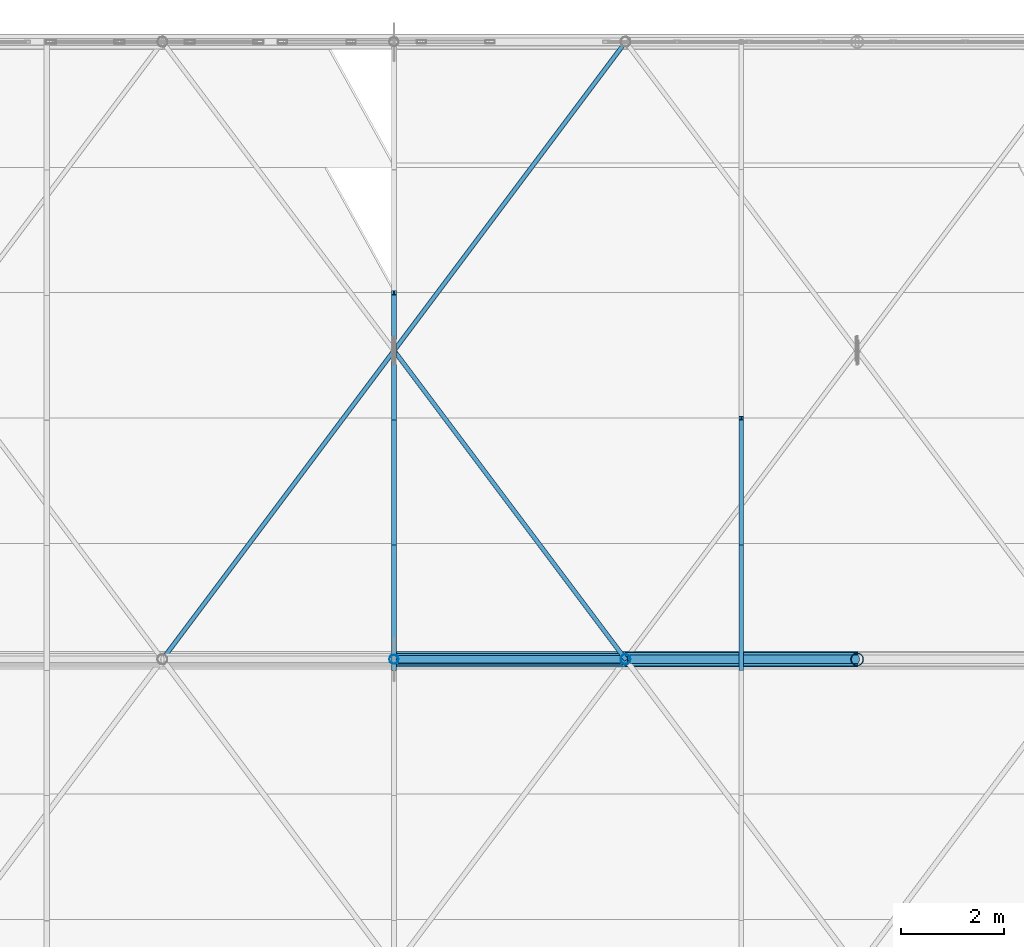
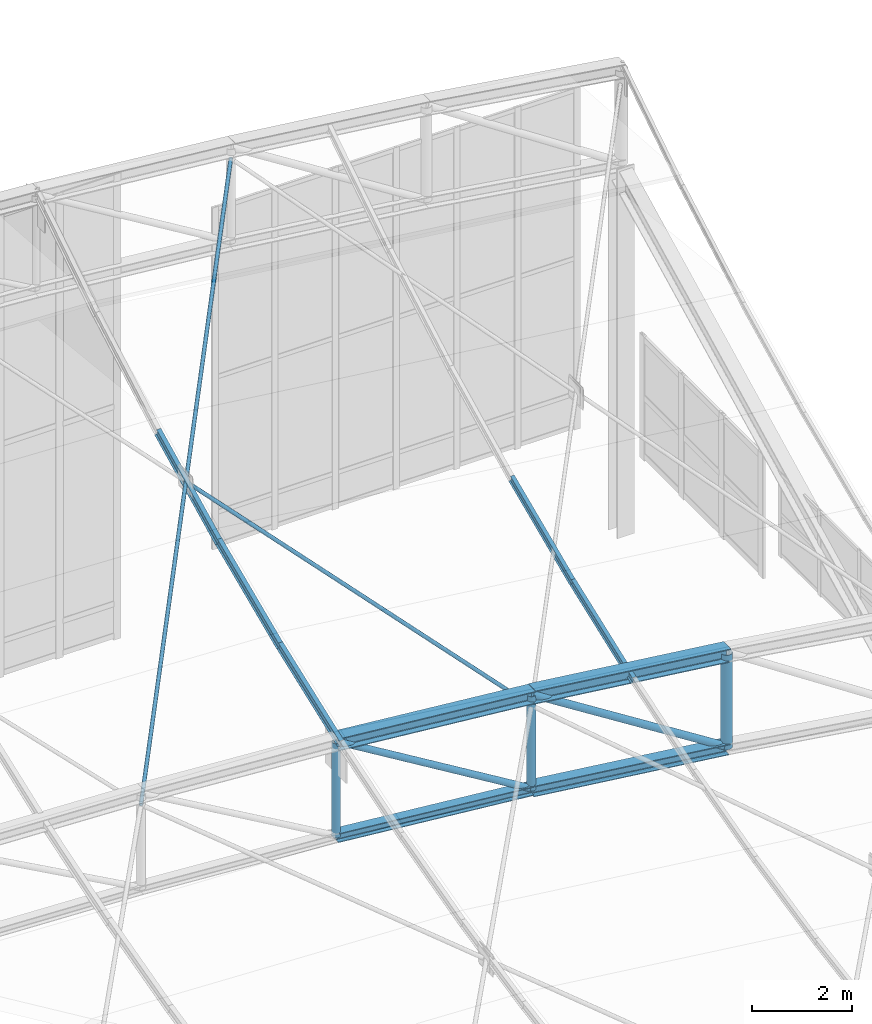
# One storey, part 130 of 262: 16 members.
"""IFC4 building model written with IfcOpenShell, lengths in metres."""

from ifc_helpers import new_model, si_unit, derived_unit, direction, frame, origin, origin_2d, place, context, subcontext, project, spatial, hollow_circle, i_section, extrude, material, material_profile, profile_set, type_object, element, save


model = new_model("IFC4")

# Units and contexts
model_context = context("Model", 3, precision=1e-05, world=origin(), true_north=direction((0.0, 1.0)))
body_context = subcontext(model_context, "Body", "Model", "MODEL_VIEW")
ifc_project = project(units=[si_unit("LENGTHUNIT", "METRE"), si_unit("AREAUNIT", "SQUARE_METRE"), si_unit("VOLUMEUNIT", "CUBIC_METRE"), si_unit("PLANEANGLEUNIT", "RADIAN"), si_unit("MASSUNIT", "GRAM", prefix="KILO"), derived_unit("THERMALTRANSMITTANCEUNIT", [(si_unit("POWERUNIT", "WATT"), 1), (si_unit("LENGTHUNIT", "METRE"), -2), (si_unit("THERMODYNAMICTEMPERATUREUNIT", "KELVIN"), -1)])], contexts=[model_context])

# Site, building, storey
site_placement = place(None, origin())
site = spatial("IfcSite", under=ifc_project, at=site_placement, CompositionType="ELEMENT")
building_placement = place(site_placement, origin())
building = spatial("IfcBuilding", under=site, at=building_placement, Name="Almenara Railside Exhibition Hall", CompositionType="ELEMENT")
storey_placement = place(building_placement, frame((0.0, 0.0, 21.699951171875)))
storey = spatial("IfcBuildingStorey", under=building, at=storey_placement, Name="RF", CompositionType="ELEMENT", Elevation=21.699951171875)

# Members
ifc_material = material(Name="Structural steel S355JR", Category="steel")
ifc_material_profile_1 = material_profile(ifc_material, i_section(OverallWidth=0.300048828125, OverallDepth=0.300048828125, WebThickness=0.010986328125, FlangeThickness=0.01904296875, FilletRadius=0.027099609375, at=origin_2d()), Name="HEB 300")
ifc_profile_set_1 = profile_set([ifc_material_profile_1], Name="Structural steel S355JR")
member_type_1 = type_object("IfcMemberType", Name="Arched Inner Top Chord HEB 300 S355JR", PredefinedType="CHORD", material=ifc_profile_set_1)
member_1_placement = place(storey_placement, frame((52.5, 120.0, 4.4912109375), z_axis=(0.995512933083, 0.0, -0.094625578275), x_axis=(0.0, 1.0, 0.0)))
element("IfcMember", 1, at=member_1_placement, inside=storey, type_object=member_type_1, Name="MEM-TC-V1-06-09", PredefinedType="CHORD", context=body_context, shape_type="SweptSolid", body=[
    extrude(i_section(OverallWidth=0.300048828125, OverallDepth=0.300048828125, WebThickness=0.010986328125, FlangeThickness=0.01904296875, FilletRadius=0.027099609375, at=origin_2d()), origin(), (0.0, 0.0, 1.0), 4.520263671875),
])
ifc_material_profile_2 = material_profile(ifc_material, i_section(OverallWidth=0.260009765625, OverallDepth=0.260009765625, WebThickness=0.010009765625, FlangeThickness=0.017578125, FilletRadius=0.02392578125, at=origin_2d()), Name="HEB 260")
ifc_profile_set_2 = profile_set([ifc_material_profile_2], Name="Structural steel S355JR")
member_type_2 = type_object("IfcMemberType", Name="Arched Truss Bottom Chord HEB 260 S355JR", PredefinedType="CHORD", material=ifc_profile_set_2)
member_2_placement = place(storey_placement, frame((57.0, 120.0, 1.763427734375), z_axis=(0.992612220818, 0.0, -0.121330041965), x_axis=(0.0, 1.0, 0.0)))
element("IfcMember", 2, at=member_2_placement, inside=storey, type_object=member_type_2, Name="MEM-BC-V1-06-10", PredefinedType="CHORD", context=body_context, shape_type="SweptSolid", body=[
    extrude(i_section(OverallWidth=0.260009765625, OverallDepth=0.260009765625, WebThickness=0.010009765625, FlangeThickness=0.017578125, FilletRadius=0.02392578125, at=origin_2d()), origin(), (0.0, 0.0, 1.0), 4.533447265625),
])
ifc_material_profile_3 = material_profile(ifc_material, i_section(OverallWidth=0.300048828125, OverallDepth=0.320068359375, WebThickness=0.011474609375, FlangeThickness=0.0205078125, FilletRadius=0.027099609375, at=origin_2d()), Name="HEB 320")
ifc_profile_set_3 = profile_set([ifc_material_profile_3], Name="Structural steel S355JR")
member_type_3 = type_object("IfcMemberType", Name="Arched Truss Top Chord HEB 320 S355JR", PredefinedType="CHORD", material=ifc_profile_set_3)
member_3_placement = place(storey_placement, frame((57.0, 120.0, 4.0634765625), z_axis=(0.992612220818, 0.0, -0.121330041965), x_axis=(0.0, 1.0, 0.0)))
element("IfcMember", 3, at=member_3_placement, inside=storey, type_object=member_type_3, Name="MEM-TC-V1-06-10", PredefinedType="CHORD", context=body_context, shape_type="SweptSolid", body=[
    extrude(i_section(OverallWidth=0.300048828125, OverallDepth=0.320068359375, WebThickness=0.011474609375, FlangeThickness=0.0205078125, FilletRadius=0.027099609375, at=origin_2d()), origin(), (0.0, 0.0, 1.0), 4.533447265625),
])
ifc_material_profile_4 = material_profile(ifc_material, hollow_circle(Radius=0.04443359375, WallThickness=0.00390625, at=origin_2d()), Name="CHS 88.9x4")
ifc_profile_set_4 = profile_set([ifc_material_profile_4], Name="Structural steel S355JR")
member_type_4 = type_object("IfcMemberType", Name="Canopy Tie Brace CHS 88.9x4 S355JR", PredefinedType="BRACE", material=ifc_profile_set_4)
member_4_placement = place(storey_placement, frame((48.0, 120.0, 4.516845703125), z_axis=(0.565422677125, 0.753896902834, 0.334569359162), x_axis=(-0.8, 0.6, 0.0)))
element("IfcMember", 4, at=member_4_placement, inside=storey, type_object=member_type_4, Name="MEM-WB-V1-WB-CHS89-06-08-C", PredefinedType="BRACE", context=body_context, shape_type="SweptSolid", body=[
    extrude(hollow_circle(Radius=0.04443359375, WallThickness=0.00390625, at=origin_2d()), origin(), (0.0, 0.0, 1.0), 15.917236328125),
])
member_5_placement = place(storey_placement, frame((57.0, 120.0, 3.783447265625), z_axis=(-0.546573115696, 0.728774097558, 0.412487750032), x_axis=(-0.800003929436, -0.599994760716, 0.0)))
element("IfcMember", 5, at=member_5_placement, inside=storey, type_object=member_type_4, Name="MEM-WB-V1-WB-CHS89-06-08-S1", PredefinedType="BRACE", context=body_context, shape_type="SweptSolid", body=[
    extrude(hollow_circle(Radius=0.04443359375, WallThickness=0.00390625, at=origin_2d()), origin(), (0.0, 0.0, 1.0), 8.184326171875),
])
ifc_material_profile_5 = material_profile(ifc_material, i_section(OverallWidth=0.091064453125, OverallDepth=0.179931640625, WebThickness=0.00537109375, FlangeThickness=0.008056640625, FilletRadius=0.009033203125, at=origin_2d()), Name="IPE 180")
ifc_profile_set_5 = profile_set([ifc_material_profile_5], Name="Structural steel S355JR")
member_type_5 = type_object("IfcMemberType", Name="Plenary Roof Purlin IPE 180 S355JR", PredefinedType="PURLIN", material=ifc_profile_set_5)
member_6_placement = place(storey_placement, frame((59.25, 119.81640625, 3.729248046875), z_axis=(0.0, 0.936171044044, 0.351544842508), x_axis=(-1.0, 0.0, 0.0)))
element("IfcMember", 6, at=member_6_placement, inside=storey, type_object=member_type_5, Name="MEM-PR-V1-PR-IPE180-07-23", PredefinedType="PURLIN", context=body_context, shape_type="SweptSolid", body=[
    extrude(i_section(OverallWidth=0.091064453125, OverallDepth=0.179931640625, WebThickness=0.00537109375, FlangeThickness=0.008056640625, FilletRadius=0.009033203125, at=origin_2d()), origin(), (0.0, 0.0, 1.0), 2.60302734375),
])
member_7_placement = place(storey_placement, frame((59.25, 122.253173828125, 4.637939453125), z_axis=(0.0, 0.917189812532, 0.398450558775), x_axis=(-1.0, 0.0, 0.0)))
element("IfcMember", 7, at=member_7_placement, inside=storey, type_object=member_type_5, Name="MEM-PR-V1-PR-IPE180-07-24", PredefinedType="PURLIN", context=body_context, shape_type="SweptSolid", body=[
    extrude(i_section(OverallWidth=0.091064453125, OverallDepth=0.179931640625, WebThickness=0.00537109375, FlangeThickness=0.008056640625, FilletRadius=0.009033203125, at=origin_2d()), origin(), (0.0, 0.0, 1.0), 2.65673828125),
])
ifc_material_profile_6 = material_profile(ifc_material, i_section(OverallWidth=0.219970703125, OverallDepth=0.219970703125, WebThickness=0.009521484375, FlangeThickness=0.01611328125, FilletRadius=0.01806640625, at=origin_2d()), Name="HEB 220")
ifc_profile_set_6 = profile_set([ifc_material_profile_6], Name="Structural steel S355JR")
member_type_6 = type_object("IfcMemberType", Name="Scroll Tie Chord HEB 220 S355JR", PredefinedType="CHORD", material=ifc_profile_set_6)
member_8_placement = place(storey_placement, frame((52.5, 120.0, 2.191162109375), z_axis=(0.995512933083, 0.0, -0.094625578275), x_axis=(0.0, 1.0, 0.0)))
element("IfcMember", 8, at=member_8_placement, inside=storey, type_object=member_type_6, Name="MEM-BC-V1-06-09", PredefinedType="CHORD", context=body_context, shape_type="SweptSolid", body=[
    extrude(i_section(OverallWidth=0.219970703125, OverallDepth=0.219970703125, WebThickness=0.009521484375, FlangeThickness=0.01611328125, FilletRadius=0.01806640625, at=origin_2d()), origin(), (0.0, 0.0, 1.0), 4.520263671875),
])
ifc_material_profile_7 = material_profile(ifc_material, i_section(OverallWidth=0.10009765625, OverallDepth=0.199951171875, WebThickness=0.005615234375, FlangeThickness=0.008544921875, FilletRadius=0.011962890625, at=origin_2d()), Name="IPE 200")
ifc_profile_set_7 = profile_set([ifc_material_profile_7], Name="Structural steel S355JR")
member_type_7 = type_object("IfcMemberType", Name="Standard Hall Roof Purlin IPE 200 S355JR", PredefinedType="PURLIN", material=ifc_profile_set_7)
member_9_placement = place(storey_placement, frame((52.5, 119.81640625, 4.54541015625), z_axis=(0.0, 0.936171044044, 0.351544842508), x_axis=(-1.0, 0.0, 0.0)))
element("IfcMember", 9, at=member_9_placement, inside=storey, type_object=member_type_7, Name="MEM-PR-V1-PR-IPE200-06-23", PredefinedType="PURLIN", context=body_context, shape_type="SweptSolid", body=[
    extrude(i_section(OverallWidth=0.10009765625, OverallDepth=0.199951171875, WebThickness=0.005615234375, FlangeThickness=0.008544921875, FilletRadius=0.011962890625, at=origin_2d()), origin(), (0.0, 0.0, 1.0), 2.60302734375),
])
member_10_placement = place(storey_placement, frame((52.5, 122.253173828125, 5.4541015625), z_axis=(0.0, 0.917223393452, 0.398373250237), x_axis=(-1.0, 0.0, 0.0)))
element("IfcMember", 10, at=member_10_placement, inside=storey, type_object=member_type_7, Name="MEM-PR-V1-PR-IPE200-06-24", PredefinedType="PURLIN", context=body_context, shape_type="SweptSolid", body=[
    extrude(i_section(OverallWidth=0.10009765625, OverallDepth=0.199951171875, WebThickness=0.005615234375, FlangeThickness=0.008544921875, FilletRadius=0.011962890625, at=origin_2d()), origin(), (0.0, 0.0, 1.0), 2.65673828125),
])
member_11_placement = place(storey_placement, frame((52.5, 124.68994140625, 6.504638671875), z_axis=(0.0, 0.895376074457, 0.445310773831), x_axis=(-1.0, 0.0, 0.0)))
element("IfcMember", 11, at=member_11_placement, inside=storey, type_object=member_type_7, Name="MEM-PR-V1-PR-IPE200-06-25", PredefinedType="PURLIN", context=body_context, shape_type="SweptSolid", body=[
    extrude(i_section(OverallWidth=0.10009765625, OverallDepth=0.199951171875, WebThickness=0.005615234375, FlangeThickness=0.008544921875, FilletRadius=0.011962890625, at=origin_2d()), origin(), (0.0, 0.0, 1.0), 2.721435546875),
])
ifc_material_profile_8 = material_profile(ifc_material, hollow_circle(Radius=0.084228515625, WallThickness=0.006103515625, at=origin_2d()), Name="CHS 168.3x6")
ifc_profile_set_8 = profile_set([ifc_material_profile_8], Name="Structural steel S355JR")
member_type_8 = type_object("IfcMemberType", Name="Truss End Diagonal CHS 168.3x6 S355JR", PredefinedType="BRACE", material=ifc_profile_set_8)
member_12_placement = place(storey_placement, frame((57.0, 120.0, 4.0634765625), z_axis=(0.844810788273, 0.0, -0.535065166141), x_axis=(0.0, 1.0, 0.0)))
element("IfcMember", 12, at=member_12_placement, inside=storey, type_object=member_type_8, Name="MEM-TD-V1-06-10", PredefinedType="BRACE", context=body_context, shape_type="SweptSolid", body=[
    extrude(hollow_circle(Radius=0.084228515625, WallThickness=0.006103515625, at=origin_2d()), origin(), (0.0, 0.0, 1.0), 5.32666015625),
])
ifc_material_profile_9 = material_profile(ifc_material, hollow_circle(Radius=0.122314453125, WallThickness=0.008056640625, at=origin_2d()), Name="CHS 244.5x8")
ifc_profile_set_9 = profile_set([ifc_material_profile_9], Name="Structural steel S355JR")
member_type_9 = type_object("IfcMemberType", Name="Truss Haunch Vertical Strut CHS 244.5x8 S355JR", PredefinedType="BRACE", material=ifc_profile_set_9)
member_13_placement = place(storey_placement, frame((61.5, 120.0, 1.21337890625), z_axis=(0.0, 0.0, 1.0), x_axis=(1.0, 0.0, 0.0)))
element("IfcMember", 13, at=member_13_placement, inside=storey, type_object=member_type_9, Name="MEM-TV-V1-06-11", PredefinedType="BRACE", context=body_context, shape_type="SweptSolid", body=[
    extrude(hollow_circle(Radius=0.122314453125, WallThickness=0.008056640625, at=origin_2d()), origin(), (0.0, 0.0, 1.0), 2.300048828125),
])
ifc_material_profile_10 = material_profile(ifc_material, hollow_circle(Radius=0.076171875, WallThickness=0.0048828125, at=origin_2d()), Name="CHS 152.4x5")
ifc_profile_set_10 = profile_set([ifc_material_profile_10], Name="Structural steel S355JR")
member_type_10 = type_object("IfcMemberType", Name="Truss Mid Diagonal CHS 152.4x5 S355JR", PredefinedType="BRACE", material=ifc_profile_set_10)
member_14_placement = place(storey_placement, frame((52.5, 120.0, 4.4912109375), z_axis=(0.855154829777, 0.0, -0.518372662386), x_axis=(0.0, 1.0, 0.0)))
element("IfcMember", 14, at=member_14_placement, inside=storey, type_object=member_type_10, Name="MEM-TD-V1-06-09", PredefinedType="BRACE", context=body_context, shape_type="SweptSolid", body=[
    extrude(hollow_circle(Radius=0.076171875, WallThickness=0.0048828125, at=origin_2d()), origin(), (0.0, 0.0, 1.0), 5.26220703125),
])
ifc_material_profile_11 = material_profile(ifc_material, hollow_circle(Radius=0.0888671875, WallThickness=0.006103515625, at=origin_2d()), Name="CHS 177.8x6")
ifc_profile_set_11 = profile_set([ifc_material_profile_11], Name="Structural steel S355JR")
member_type_11 = type_object("IfcMemberType", Name="Truss Quarter Vertical Strut CHS 177.8x6 S355JR", PredefinedType="BRACE", material=ifc_profile_set_11)
member_15_placement = place(storey_placement, frame((52.5, 120.0, 2.191162109375), z_axis=(0.0, 0.0, 1.0), x_axis=(1.0, 0.0, 0.0)))
element("IfcMember", 15, at=member_15_placement, inside=storey, type_object=member_type_11, Name="MEM-TV-V1-06-09", PredefinedType="BRACE", context=body_context, shape_type="SweptSolid", body=[
    extrude(hollow_circle(Radius=0.0888671875, WallThickness=0.006103515625, at=origin_2d()), origin(), (0.0, 0.0, 1.0), 2.300048828125),
])
ifc_material_profile_12 = material_profile(ifc_material, hollow_circle(Radius=0.096923828125, WallThickness=0.00634765625, at=origin_2d()), Name="CHS 193.7x6.3")
ifc_profile_set_12 = profile_set([ifc_material_profile_12], Name="Structural steel S355JR")
member_type_12 = type_object("IfcMemberType", Name="Truss Standard Vertical Strut CHS 193.7x6.3 S355JR", PredefinedType="BRACE", material=ifc_profile_set_12)
member_16_placement = place(storey_placement, frame((57.0, 120.0, 1.763427734375), z_axis=(0.0, 0.0, 1.0), x_axis=(1.0, 0.0, 0.0)))
element("IfcMember", 16, at=member_16_placement, inside=storey, type_object=member_type_12, Name="MEM-TV-V1-06-10", PredefinedType="BRACE", context=body_context, shape_type="SweptSolid", body=[
    extrude(hollow_circle(Radius=0.096923828125, WallThickness=0.00634765625, at=origin_2d()), origin(), (0.0, 0.0, 1.0), 2.300048828125),
])

save(model, "model.ifc")
